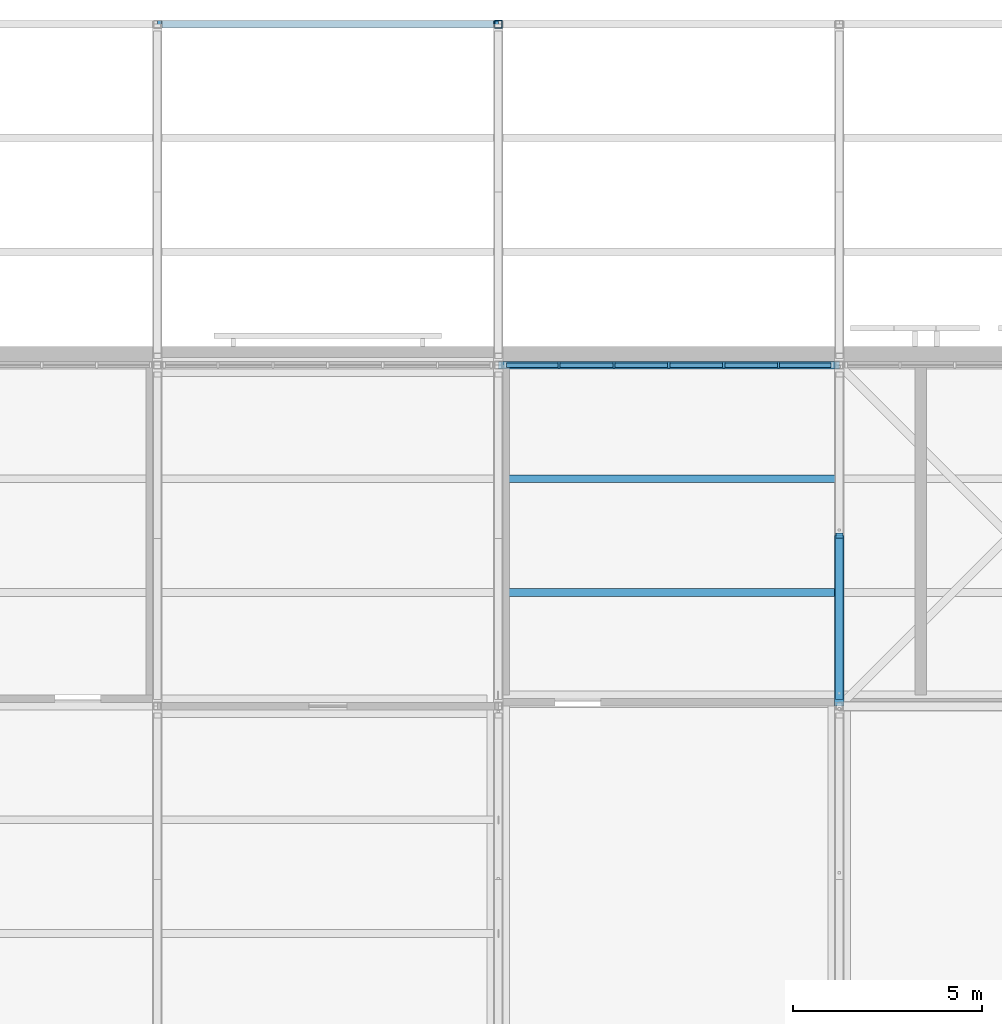
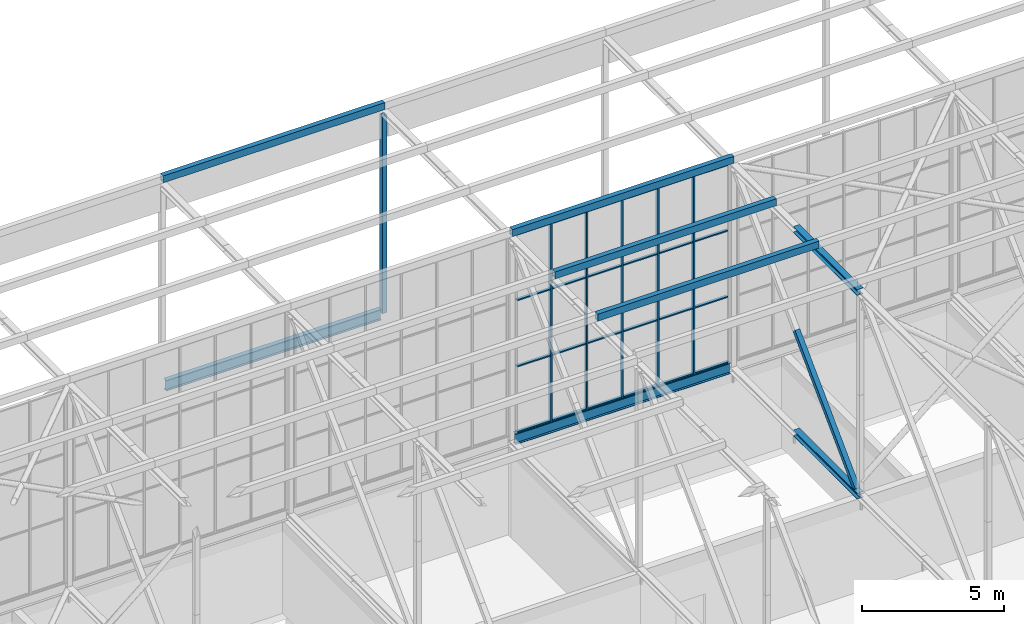
# One storey, part 117 of 646: 38 members, 2 beams, 1 element without a shape of its own.
"""IFC4 building model written with IfcOpenShell, lengths in metres."""

from ifc_helpers import new_model, si_unit, direction, frame, origin, origin_2d, place, context, subcontext, project, spatial, rectangle, hollow_rectangle, i_section, extrude, material, material_profile, profile_set, type_object, element, aggregate, save


model = new_model("IFC4")

# Units and contexts
model_context = context("Model", 3, precision=1e-05, world=origin(), true_north=direction((0.0, 1.0)))
body_context = subcontext(model_context, "Body", "Model", "MODEL_VIEW")
ifc_project = project(units=[si_unit("LENGTHUNIT", "METRE"), si_unit("AREAUNIT", "SQUARE_METRE"), si_unit("VOLUMEUNIT", "CUBIC_METRE"), si_unit("PLANEANGLEUNIT", "RADIAN"), si_unit("MASSUNIT", "GRAM", prefix="KILO")], contexts=[model_context])

# Site, building, storey
site_placement = place(None, origin())
site = spatial("IfcSite", under=ifc_project, at=site_placement, CompositionType="ELEMENT")
building_placement = place(site_placement, origin())
building = spatial("IfcBuilding", under=site, at=building_placement, Name="Silverbay Arena", CompositionType="ELEMENT")
storey_placement = place(building_placement, frame((0.0, 0.0, 33.5)))
storey = spatial("IfcBuildingStorey", under=building, at=storey_placement, Name="L05", CompositionType="ELEMENT", Elevation=33.5)

# Members
ifc_material_1 = material(Name="Steel S355", Category="steel")
ifc_material_profile_1 = material_profile(ifc_material_1, hollow_rectangle(XDim=0.199951171875, YDim=0.199951171875, WallThickness=0.008056640625, at=origin_2d()), Name="SHS 200x200x8")
ifc_profile_set_1 = profile_set([ifc_material_profile_1], Name="Steel S355")
member_type_1 = type_object("IfcMemberType", Name="Long-span truss vertical SHS 200x200x8", PredefinedType="STRUT", material=ifc_profile_set_1)
for number, where, z_axis, x_axis, name in (
    (1, (81.0, 153.0, 4.254150390625), (0.0, 0.0, 1.0), (1.0, 0.0, 0.0), "ROOF TRUSS 10 vertical 17a"),
    (2, (81.0, 153.0, 8.5), (0.0, 0.0, 1.0), (1.0, 0.0, 0.0), "ROOF TRUSS 10 vertical 17b"),
):
    element("IfcMember", number, at=place(storey_placement, frame(where, z_axis=z_axis, x_axis=x_axis)), inside=storey, type_object=member_type_1, Name=name, PredefinedType="STRUT", context=body_context, shape_type="SweptSolid", body=[
        extrude(hollow_rectangle(XDim=0.199951171875, YDim=0.199951171875, WallThickness=0.008056640625, at=origin_2d()), origin(), (0.0, 0.0, 1.0), 4.245849609375),
    ])
ifc_material_2 = material(Name="Steel S355", Category="steel")
ifc_material_profile_2 = material_profile(ifc_material_2, i_section(OverallWidth=0.254638671875, OverallDepth=0.254150390625, WebThickness=0.008544921875, FlangeThickness=0.01416015625, at=origin_2d()), Name="UC 254x254x73")
ifc_profile_set_2 = profile_set([ifc_material_profile_2], Name="Steel S355")
member_type_2 = type_object("IfcMemberType", Name="Medium-span bottom chord UC 254x254x73", PredefinedType="CHORD", material=ifc_profile_set_2)
member_1_placement = place(storey_placement, frame((90.0, 135.0, 4.126953125), z_axis=(0.0, 1.0, 0.0), x_axis=(-1.0, 0.0, 0.0)))
element("IfcMember", 3, at=member_1_placement, inside=storey, type_object=member_type_2, Name="ROOF TRUSS 11 bottom chord 15a", PredefinedType="CHORD", context=body_context, shape_type="SweptSolid", body=[
    extrude(i_section(OverallWidth=0.254638671875, OverallDepth=0.254150390625, WebThickness=0.008544921875, FlangeThickness=0.01416015625, at=origin_2d()), origin(), (0.0, 0.0, 1.0), 4.5),
])
ifc_material_3 = material(Name="Steel S355", Category="steel")
ifc_material_profile_3 = material_profile(ifc_material_3, i_section(OverallWidth=0.254638671875, OverallDepth=0.254150390625, WebThickness=0.008544921875, FlangeThickness=0.01416015625, at=origin_2d()), Name="UC 254x254x73")
ifc_profile_set_3 = profile_set([ifc_material_profile_3], Name="Steel S355")
member_type_3 = type_object("IfcMemberType", Name="Medium-span top chord UC 254x254x73", PredefinedType="CHORD", material=ifc_profile_set_3)
member_2_placement = place(storey_placement, frame((90.0, 135.0, 12.873046875), z_axis=(0.0, 1.0, 0.0), x_axis=(-1.0, 0.0, 0.0)))
element("IfcMember", 4, at=member_2_placement, inside=storey, type_object=member_type_3, Name="ROOF TRUSS 11 top chord 15a", PredefinedType="CHORD", context=body_context, shape_type="SweptSolid", body=[
    extrude(i_section(OverallWidth=0.254638671875, OverallDepth=0.254150390625, WebThickness=0.008544921875, FlangeThickness=0.01416015625, at=origin_2d()), origin(), (0.0, 0.0, 1.0), 4.5),
])
ifc_material_4 = material(Name="Steel S355", Category="steel")
ifc_material_profile_4 = material_profile(ifc_material_4, hollow_rectangle(XDim=0.199951171875, YDim=0.199951171875, WallThickness=0.008056640625, at=origin_2d()), Name="SHS 200x200x8")
ifc_profile_set_4 = profile_set([ifc_material_profile_4], Name="Steel S355")
member_type_4 = type_object("IfcMemberType", Name="Medium-span truss diagonal SHS 200x200x8", PredefinedType="BRACE", material=ifc_profile_set_4)
member_3_placement = place(storey_placement, frame((90.0, 139.5, 8.5), z_axis=(0.0, -0.70781724692, -0.706395600894), x_axis=(1.0, 0.0, 0.0)))
element("IfcMember", 5, at=member_3_placement, inside=storey, type_object=member_type_4, Name="ROOF TRUSS 11 diagonal 15b", PredefinedType="BRACE", context=body_context, shape_type="SweptSolid", body=[
    extrude(hollow_rectangle(XDim=0.199951171875, YDim=0.199951171875, WallThickness=0.008056640625, at=origin_2d()), origin(), (0.0, 0.0, 1.0), 6.010498046875),
])

# Curtain wall, members
ifc_material_5 = material(Name="Aluminium framed glazing", Category="aluminium")
curtain_wall_type = type_object("IfcCurtainWallType", Name="Curtain wall clerestory 8693 x 8540", PredefinedType="NOTDEFINED", material=ifc_material_5)
curtain_wall_placement = place(storey_placement, origin())
curtain_wall = element("IfcCurtainWall", 6, at=curtain_wall_placement, inside=storey, type_object=curtain_wall_type, Name="ROOF CLERESTORY CURTAIN WALL north bay 04", PredefinedType="NOTDEFINED")
ifc_material_6 = material(Name="Aluminium", Category="aluminium")
ifc_material_profile_5 = material_profile(ifc_material_6, rectangle(XDim=0.159912109375, YDim=0.06005859375, at=origin_2d()), Name="Mullion 60 x 160")
ifc_profile_set_5 = profile_set([ifc_material_profile_5], Name="Aluminium")
member_type_5 = type_object("IfcMemberType", Name="Mullion 60 x 160", PredefinedType="MULLION", material=ifc_profile_set_5)
member_4_placement = place(storey_placement, frame((82.6025390625, 144.0, 4.4599609375), z_axis=(0.0, 0.0, 1.0), x_axis=(0.0, 1.0, 0.0)))
member_4 = element("IfcMember", 7, at=member_4_placement, type_object=member_type_5, Name="CW55 mullion 2", PredefinedType="MULLION", context=body_context, shape_type="SweptSolid", body=[
    extrude(rectangle(XDim=0.159912109375, YDim=0.06005859375, at=origin_2d()), origin(), (0.0, 0.0, 1.0), 8.5400390625),
])
member_5_placement = place(storey_placement, frame((84.05126953125, 144.0, 4.4599609375), z_axis=(0.0, 0.0, 1.0), x_axis=(0.0, 1.0, 0.0)))
member_5 = element("IfcMember", 8, at=member_5_placement, type_object=member_type_5, Name="CW55 mullion 3", PredefinedType="MULLION", context=body_context, shape_type="SweptSolid", body=[
    extrude(rectangle(XDim=0.159912109375, YDim=0.06005859375, at=origin_2d()), origin(), (0.0, 0.0, 1.0), 8.5400390625),
])
member_6_placement = place(storey_placement, frame((85.5, 144.0, 4.4599609375), z_axis=(0.0, 0.0, 1.0), x_axis=(0.0, 1.0, 0.0)))
member_6 = element("IfcMember", 9, at=member_6_placement, type_object=member_type_5, Name="CW55 mullion 4", PredefinedType="MULLION", context=body_context, shape_type="SweptSolid", body=[
    extrude(rectangle(XDim=0.159912109375, YDim=0.06005859375, at=origin_2d()), origin(), (0.0, 0.0, 1.0), 8.5400390625),
])
member_7_placement = place(storey_placement, frame((86.94873046875, 144.0, 4.4599609375), z_axis=(0.0, 0.0, 1.0), x_axis=(0.0, 1.0, 0.0)))
member_7 = element("IfcMember", 10, at=member_7_placement, type_object=member_type_5, Name="CW55 mullion 5", PredefinedType="MULLION", context=body_context, shape_type="SweptSolid", body=[
    extrude(rectangle(XDim=0.159912109375, YDim=0.06005859375, at=origin_2d()), origin(), (0.0, 0.0, 1.0), 8.5400390625),
])
member_8_placement = place(storey_placement, frame((88.3974609375, 144.0, 4.4599609375), z_axis=(0.0, 0.0, 1.0), x_axis=(0.0, 1.0, 0.0)))
member_8 = element("IfcMember", 11, at=member_8_placement, type_object=member_type_5, Name="CW55 mullion 6", PredefinedType="MULLION", context=body_context, shape_type="SweptSolid", body=[
    extrude(rectangle(XDim=0.159912109375, YDim=0.06005859375, at=origin_2d()), origin(), (0.0, 0.0, 1.0), 8.5400390625),
])

# Members
ifc_material_7 = material(Name="Steel S355", Category="steel")
ifc_material_profile_6 = material_profile(ifc_material_7, hollow_rectangle(XDim=0.199951171875, YDim=0.300048828125, WallThickness=0.00634765625, at=origin_2d()), Name="RHS 300x200x6.3")
ifc_profile_set_6 = profile_set([ifc_material_profile_6], Name="Steel S355")
member_type_6 = type_object("IfcMemberType", Name="Purlin RHS 300x200x6.3", PredefinedType="PURLIN", material=ifc_profile_set_6)
member_9_placement = place(storey_placement, frame((81.0, 138.0, 13.14990234375), z_axis=(1.0, 0.0, 0.0), x_axis=(0.0, 1.0, 0.0)))
element("IfcMember", 12, at=member_9_placement, inside=storey, type_object=member_type_6, Name="ROOF PURLIN 10-11 line 44", PredefinedType="PURLIN", context=body_context, shape_type="SweptSolid", body=[
    extrude(hollow_rectangle(XDim=0.199951171875, YDim=0.300048828125, WallThickness=0.00634765625, at=origin_2d()), origin(), (0.0, 0.0, 1.0), 9.0),
])
ifc_material_8 = material(Name="Steel S355", Category="steel")
ifc_material_profile_7 = material_profile(ifc_material_8, hollow_rectangle(XDim=0.199951171875, YDim=0.300048828125, WallThickness=0.008056640625, at=origin_2d()), Name="RHS 300x200x8")
ifc_profile_set_7 = profile_set([ifc_material_profile_7], Name="Steel S355")
member_type_7 = type_object("IfcMemberType", Name="Purlin RHS 300x200x8", PredefinedType="PURLIN", material=ifc_profile_set_7)
for number, where, z_axis, x_axis, name in (
    (13, (72.0, 153.0, 13.14990234375), (1.0, 0.0, 0.0), (0.0, 1.0, 0.0), "ROOF PURLIN 9-10 line 49"),
    (14, (81.0, 141.0, 13.14990234375), (1.0, 0.0, 0.0), (0.0, 1.0, 0.0), "ROOF PURLIN 10-11 line 45"),
    (15, (81.0, 144.0, 13.14990234375), (1.0, 0.0, 0.0), (0.0, 1.0, 0.0), "ROOF PURLIN 10-11 line 46"),
):
    element("IfcMember", number, at=place(storey_placement, frame(where, z_axis=z_axis, x_axis=x_axis)), inside=storey, type_object=member_type_7, Name=name, PredefinedType="PURLIN", context=body_context, shape_type="SweptSolid", body=[
        extrude(hollow_rectangle(XDim=0.199951171875, YDim=0.300048828125, WallThickness=0.008056640625, at=origin_2d()), origin(), (0.0, 0.0, 1.0), 9.0),
    ])

# Beams
ifc_material_9 = material(Name="Steel S355", Category="steel")
ifc_material_profile_8 = material_profile(ifc_material_9, i_section(OverallWidth=0.18994140625, OverallDepth=0.453369140625, WebThickness=0.008544921875, FlangeThickness=0.0126953125, at=origin_2d()), Name="UB 457x191x67")
ifc_profile_set_8 = profile_set([ifc_material_profile_8], Name="Steel S355")
beam_type_1 = type_object("IfcBeamType", Name="Ring beam UB 457x191x67", PredefinedType="BEAM", material=ifc_profile_set_8)
beam_1_placement = place(storey_placement, frame((72.127197265625, 153.0, 4.226806640625), z_axis=(1.0, 0.0, 0.0), x_axis=(0.0, 1.0, 0.0)))
element("IfcBeam", 16, at=beam_1_placement, inside=storey, type_object=beam_type_1, Name="RING BEAM north edge 9-10", PredefinedType="BEAM", context=body_context, shape_type="SweptSolid", body=[
    extrude(i_section(OverallWidth=0.18994140625, OverallDepth=0.453369140625, WebThickness=0.008544921875, FlangeThickness=0.0126953125, at=origin_2d()), origin(), (0.0, 0.0, 1.0), 8.74560546875),
])
ifc_material_10 = material(Name="Steel S355", Category="steel")
ifc_material_profile_9 = material_profile(ifc_material_10, i_section(OverallWidth=0.19140625, OverallDepth=0.4599609375, WebThickness=0.010009765625, FlangeThickness=0.01611328125, at=origin_2d()), Name="UB 457x191x82")
ifc_profile_set_9 = profile_set([ifc_material_profile_9], Name="Steel S355")
beam_type_2 = type_object("IfcBeamType", Name="Ring beam UB 457x191x82", PredefinedType="BEAM", material=ifc_profile_set_9)
beam_2_placement = place(storey_placement, frame((81.127197265625, 144.0, 4.22998046875), z_axis=(1.0, 0.0, 0.0), x_axis=(0.0, 1.0, 0.0)))
element("IfcBeam", 17, at=beam_2_placement, inside=storey, type_object=beam_type_2, Name="RING BEAM north facade 10-11", PredefinedType="BEAM", context=body_context, shape_type="SweptSolid", body=[
    extrude(i_section(OverallWidth=0.19140625, OverallDepth=0.4599609375, WebThickness=0.010009765625, FlangeThickness=0.01611328125, at=origin_2d()), origin(), (0.0, 0.0, 1.0), 8.74560546875),
])

# Member
ifc_material_11 = material(Name="Aluminium", Category="aluminium")
ifc_material_profile_10 = material_profile(ifc_material_11, rectangle(XDim=0.1201171875, YDim=0.050048828125, at=origin_2d()), Name="Transom 50 x 120")
ifc_profile_set_10 = profile_set([ifc_material_profile_10], Name="Aluminium")
member_type_8 = type_object("IfcMemberType", Name="Transom 50 x 120", PredefinedType="USERDEFINED", material=ifc_profile_set_10)
member_10_placement = place(storey_placement, frame((81.213623046875, 144.0, 4.485107421875), z_axis=(1.0, 0.0, 0.0), x_axis=(0.0, 1.0, 0.0)))
member_10 = element("IfcMember", 18, at=member_10_placement, type_object=member_type_8, Name="CW55 transom 1.1", ObjectType="TRANSOM", PredefinedType="USERDEFINED", context=body_context, shape_type="SweptSolid", body=[
    extrude(rectangle(XDim=0.1201171875, YDim=0.050048828125, at=origin_2d()), origin(), (0.0, 0.0, 1.0), 1.35888671875),
])

member_11_placement = place(storey_placement, frame((81.213623046875, 144.0, 7.306640625), z_axis=(1.0, 0.0, 0.0), x_axis=(0.0, 1.0, 0.0)))
member_11 = element("IfcMember", 19, at=member_11_placement, type_object=member_type_8, Name="CW55 transom 1.2", ObjectType="TRANSOM", PredefinedType="USERDEFINED", context=body_context, shape_type="SweptSolid", body=[
    extrude(rectangle(XDim=0.1201171875, YDim=0.050048828125, at=origin_2d()), origin(), (0.0, 0.0, 1.0), 1.35888671875),
])

member_12_placement = place(storey_placement, frame((81.213623046875, 144.0, 10.1533203125), z_axis=(1.0, 0.0, 0.0), x_axis=(0.0, 1.0, 0.0)))
member_12 = element("IfcMember", 20, at=member_12_placement, type_object=member_type_8, Name="CW55 transom 1.3", ObjectType="TRANSOM", PredefinedType="USERDEFINED", context=body_context, shape_type="SweptSolid", body=[
    extrude(rectangle(XDim=0.1201171875, YDim=0.050048828125, at=origin_2d()), origin(), (0.0, 0.0, 1.0), 1.35888671875),
])

member_13_placement = place(storey_placement, frame((81.213623046875, 144.0, 12.97509765625), z_axis=(1.0, 0.0, 0.0), x_axis=(0.0, 1.0, 0.0)))
member_13 = element("IfcMember", 21, at=member_13_placement, type_object=member_type_8, Name="CW55 transom 1.4", ObjectType="TRANSOM", PredefinedType="USERDEFINED", context=body_context, shape_type="SweptSolid", body=[
    extrude(rectangle(XDim=0.1201171875, YDim=0.050048828125, at=origin_2d()), origin(), (0.0, 0.0, 1.0), 1.35888671875),
])

member_14_placement = place(storey_placement, frame((82.632568359375, 144.0, 4.485107421875), z_axis=(1.0, 0.0, 0.0), x_axis=(0.0, 1.0, 0.0)))
member_14 = element("IfcMember", 22, at=member_14_placement, type_object=member_type_8, Name="CW55 transom 2.1", ObjectType="TRANSOM", PredefinedType="USERDEFINED", context=body_context, shape_type="SweptSolid", body=[
    extrude(rectangle(XDim=0.1201171875, YDim=0.050048828125, at=origin_2d()), origin(), (0.0, 0.0, 1.0), 1.388671875),
])

member_15_placement = place(storey_placement, frame((82.632568359375, 144.0, 7.306640625), z_axis=(1.0, 0.0, 0.0), x_axis=(0.0, 1.0, 0.0)))
member_15 = element("IfcMember", 23, at=member_15_placement, type_object=member_type_8, Name="CW55 transom 2.2", ObjectType="TRANSOM", PredefinedType="USERDEFINED", context=body_context, shape_type="SweptSolid", body=[
    extrude(rectangle(XDim=0.1201171875, YDim=0.050048828125, at=origin_2d()), origin(), (0.0, 0.0, 1.0), 1.388671875),
])

member_16_placement = place(storey_placement, frame((82.632568359375, 144.0, 10.1533203125), z_axis=(1.0, 0.0, 0.0), x_axis=(0.0, 1.0, 0.0)))
member_16 = element("IfcMember", 24, at=member_16_placement, type_object=member_type_8, Name="CW55 transom 2.3", ObjectType="TRANSOM", PredefinedType="USERDEFINED", context=body_context, shape_type="SweptSolid", body=[
    extrude(rectangle(XDim=0.1201171875, YDim=0.050048828125, at=origin_2d()), origin(), (0.0, 0.0, 1.0), 1.388671875),
])

member_17_placement = place(storey_placement, frame((82.632568359375, 144.0, 12.97509765625), z_axis=(1.0, 0.0, 0.0), x_axis=(0.0, 1.0, 0.0)))
member_17 = element("IfcMember", 25, at=member_17_placement, type_object=member_type_8, Name="CW55 transom 2.4", ObjectType="TRANSOM", PredefinedType="USERDEFINED", context=body_context, shape_type="SweptSolid", body=[
    extrude(rectangle(XDim=0.1201171875, YDim=0.050048828125, at=origin_2d()), origin(), (0.0, 0.0, 1.0), 1.388671875),
])

member_18_placement = place(storey_placement, frame((84.081298828125, 144.0, 4.485107421875), z_axis=(1.0, 0.0, 0.0), x_axis=(0.0, 1.0, 0.0)))
member_18 = element("IfcMember", 26, at=member_18_placement, type_object=member_type_8, Name="CW55 transom 3.1", ObjectType="TRANSOM", PredefinedType="USERDEFINED", context=body_context, shape_type="SweptSolid", body=[
    extrude(rectangle(XDim=0.1201171875, YDim=0.050048828125, at=origin_2d()), origin(), (0.0, 0.0, 1.0), 1.388671875),
])

member_19_placement = place(storey_placement, frame((84.081298828125, 144.0, 7.306640625), z_axis=(1.0, 0.0, 0.0), x_axis=(0.0, 1.0, 0.0)))
member_19 = element("IfcMember", 27, at=member_19_placement, type_object=member_type_8, Name="CW55 transom 3.2", ObjectType="TRANSOM", PredefinedType="USERDEFINED", context=body_context, shape_type="SweptSolid", body=[
    extrude(rectangle(XDim=0.1201171875, YDim=0.050048828125, at=origin_2d()), origin(), (0.0, 0.0, 1.0), 1.388671875),
])

member_20_placement = place(storey_placement, frame((84.081298828125, 144.0, 10.1533203125), z_axis=(1.0, 0.0, 0.0), x_axis=(0.0, 1.0, 0.0)))
member_20 = element("IfcMember", 28, at=member_20_placement, type_object=member_type_8, Name="CW55 transom 3.3", ObjectType="TRANSOM", PredefinedType="USERDEFINED", context=body_context, shape_type="SweptSolid", body=[
    extrude(rectangle(XDim=0.1201171875, YDim=0.050048828125, at=origin_2d()), origin(), (0.0, 0.0, 1.0), 1.388671875),
])

member_21_placement = place(storey_placement, frame((84.081298828125, 144.0, 12.97509765625), z_axis=(1.0, 0.0, 0.0), x_axis=(0.0, 1.0, 0.0)))
member_21 = element("IfcMember", 29, at=member_21_placement, type_object=member_type_8, Name="CW55 transom 3.4", ObjectType="TRANSOM", PredefinedType="USERDEFINED", context=body_context, shape_type="SweptSolid", body=[
    extrude(rectangle(XDim=0.1201171875, YDim=0.050048828125, at=origin_2d()), origin(), (0.0, 0.0, 1.0), 1.388671875),
])

member_22_placement = place(storey_placement, frame((85.530029296875, 144.0, 4.485107421875), z_axis=(1.0, 0.0, 0.0), x_axis=(0.0, 1.0, 0.0)))
member_22 = element("IfcMember", 30, at=member_22_placement, type_object=member_type_8, Name="CW55 transom 4.1", ObjectType="TRANSOM", PredefinedType="USERDEFINED", context=body_context, shape_type="SweptSolid", body=[
    extrude(rectangle(XDim=0.1201171875, YDim=0.050048828125, at=origin_2d()), origin(), (0.0, 0.0, 1.0), 1.388671875),
])

member_23_placement = place(storey_placement, frame((85.530029296875, 144.0, 7.306640625), z_axis=(1.0, 0.0, 0.0), x_axis=(0.0, 1.0, 0.0)))
member_23 = element("IfcMember", 31, at=member_23_placement, type_object=member_type_8, Name="CW55 transom 4.2", ObjectType="TRANSOM", PredefinedType="USERDEFINED", context=body_context, shape_type="SweptSolid", body=[
    extrude(rectangle(XDim=0.1201171875, YDim=0.050048828125, at=origin_2d()), origin(), (0.0, 0.0, 1.0), 1.388671875),
])

member_24_placement = place(storey_placement, frame((85.530029296875, 144.0, 10.1533203125), z_axis=(1.0, 0.0, 0.0), x_axis=(0.0, 1.0, 0.0)))
member_24 = element("IfcMember", 32, at=member_24_placement, type_object=member_type_8, Name="CW55 transom 4.3", ObjectType="TRANSOM", PredefinedType="USERDEFINED", context=body_context, shape_type="SweptSolid", body=[
    extrude(rectangle(XDim=0.1201171875, YDim=0.050048828125, at=origin_2d()), origin(), (0.0, 0.0, 1.0), 1.388671875),
])

member_25_placement = place(storey_placement, frame((85.530029296875, 144.0, 12.97509765625), z_axis=(1.0, 0.0, 0.0), x_axis=(0.0, 1.0, 0.0)))
member_25 = element("IfcMember", 33, at=member_25_placement, type_object=member_type_8, Name="CW55 transom 4.4", ObjectType="TRANSOM", PredefinedType="USERDEFINED", context=body_context, shape_type="SweptSolid", body=[
    extrude(rectangle(XDim=0.1201171875, YDim=0.050048828125, at=origin_2d()), origin(), (0.0, 0.0, 1.0), 1.388671875),
])

member_26_placement = place(storey_placement, frame((86.978759765625, 144.0, 4.485107421875), z_axis=(1.0, 0.0, 0.0), x_axis=(0.0, 1.0, 0.0)))
member_26 = element("IfcMember", 34, at=member_26_placement, type_object=member_type_8, Name="CW55 transom 5.1", ObjectType="TRANSOM", PredefinedType="USERDEFINED", context=body_context, shape_type="SweptSolid", body=[
    extrude(rectangle(XDim=0.1201171875, YDim=0.050048828125, at=origin_2d()), origin(), (0.0, 0.0, 1.0), 1.388671875),
])

member_27_placement = place(storey_placement, frame((86.978759765625, 144.0, 7.306640625), z_axis=(1.0, 0.0, 0.0), x_axis=(0.0, 1.0, 0.0)))
member_27 = element("IfcMember", 35, at=member_27_placement, type_object=member_type_8, Name="CW55 transom 5.2", ObjectType="TRANSOM", PredefinedType="USERDEFINED", context=body_context, shape_type="SweptSolid", body=[
    extrude(rectangle(XDim=0.1201171875, YDim=0.050048828125, at=origin_2d()), origin(), (0.0, 0.0, 1.0), 1.388671875),
])

member_28_placement = place(storey_placement, frame((86.978759765625, 144.0, 10.1533203125), z_axis=(1.0, 0.0, 0.0), x_axis=(0.0, 1.0, 0.0)))
member_28 = element("IfcMember", 36, at=member_28_placement, type_object=member_type_8, Name="CW55 transom 5.3", ObjectType="TRANSOM", PredefinedType="USERDEFINED", context=body_context, shape_type="SweptSolid", body=[
    extrude(rectangle(XDim=0.1201171875, YDim=0.050048828125, at=origin_2d()), origin(), (0.0, 0.0, 1.0), 1.388671875),
])

member_29_placement = place(storey_placement, frame((86.978759765625, 144.0, 12.97509765625), z_axis=(1.0, 0.0, 0.0), x_axis=(0.0, 1.0, 0.0)))
member_29 = element("IfcMember", 37, at=member_29_placement, type_object=member_type_8, Name="CW55 transom 5.4", ObjectType="TRANSOM", PredefinedType="USERDEFINED", context=body_context, shape_type="SweptSolid", body=[
    extrude(rectangle(XDim=0.1201171875, YDim=0.050048828125, at=origin_2d()), origin(), (0.0, 0.0, 1.0), 1.388671875),
])

member_30_placement = place(storey_placement, frame((88.427490234375, 144.0, 4.485107421875), z_axis=(1.0, 0.0, 0.0), x_axis=(0.0, 1.0, 0.0)))
member_30 = element("IfcMember", 38, at=member_30_placement, type_object=member_type_8, Name="CW55 transom 6.1", ObjectType="TRANSOM", PredefinedType="USERDEFINED", context=body_context, shape_type="SweptSolid", body=[
    extrude(rectangle(XDim=0.1201171875, YDim=0.050048828125, at=origin_2d()), origin(), (0.0, 0.0, 1.0), 1.35888671875),
])

member_31_placement = place(storey_placement, frame((88.427490234375, 144.0, 7.306640625), z_axis=(1.0, 0.0, 0.0), x_axis=(0.0, 1.0, 0.0)))
member_31 = element("IfcMember", 39, at=member_31_placement, type_object=member_type_8, Name="CW55 transom 6.2", ObjectType="TRANSOM", PredefinedType="USERDEFINED", context=body_context, shape_type="SweptSolid", body=[
    extrude(rectangle(XDim=0.1201171875, YDim=0.050048828125, at=origin_2d()), origin(), (0.0, 0.0, 1.0), 1.35888671875),
])

member_32_placement = place(storey_placement, frame((88.427490234375, 144.0, 10.1533203125), z_axis=(1.0, 0.0, 0.0), x_axis=(0.0, 1.0, 0.0)))
member_32 = element("IfcMember", 40, at=member_32_placement, type_object=member_type_8, Name="CW55 transom 6.3", ObjectType="TRANSOM", PredefinedType="USERDEFINED", context=body_context, shape_type="SweptSolid", body=[
    extrude(rectangle(XDim=0.1201171875, YDim=0.050048828125, at=origin_2d()), origin(), (0.0, 0.0, 1.0), 1.35888671875),
])

member_33_placement = place(storey_placement, frame((88.427490234375, 144.0, 12.97509765625), z_axis=(1.0, 0.0, 0.0), x_axis=(0.0, 1.0, 0.0)))
member_33 = element("IfcMember", 41, at=member_33_placement, type_object=member_type_8, Name="CW55 transom 6.4", ObjectType="TRANSOM", PredefinedType="USERDEFINED", context=body_context, shape_type="SweptSolid", body=[
    extrude(rectangle(XDim=0.1201171875, YDim=0.050048828125, at=origin_2d()), origin(), (0.0, 0.0, 1.0), 1.35888671875),
])

aggregate(curtain_wall, [member_4, member_5, member_6, member_7, member_8, member_10, member_11, member_12, member_13, member_14, member_15, member_16, member_17, member_18, member_19, member_20, member_21, member_22, member_23, member_24, member_25, member_26, member_27, member_28, member_29, member_30, member_31, member_32, member_33])

save(model, "model.ifc")
